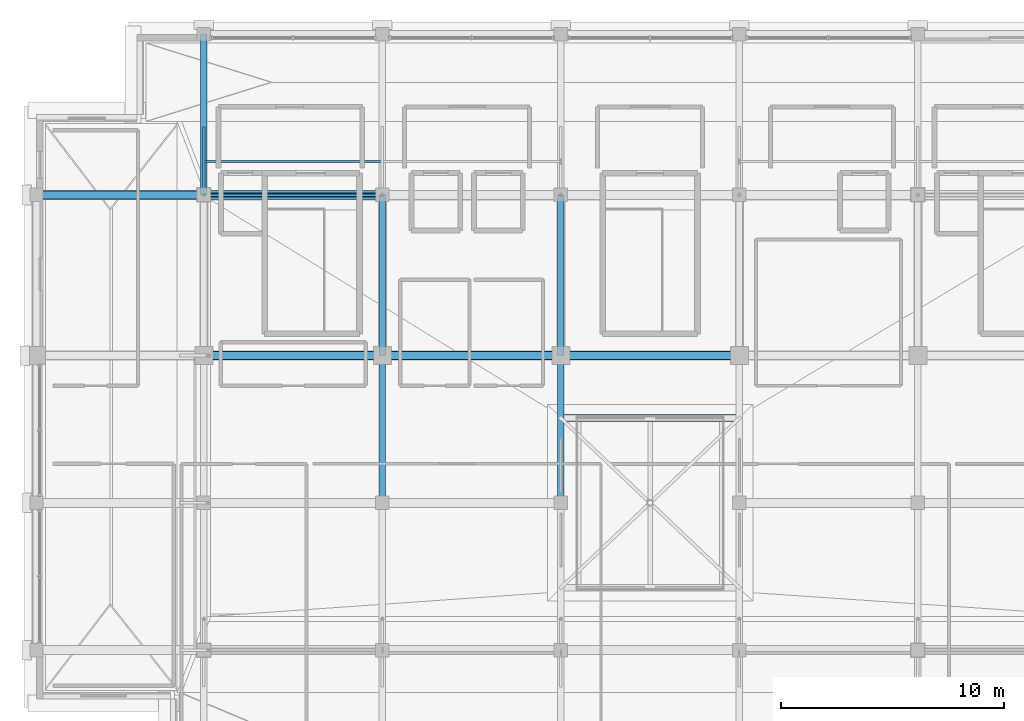
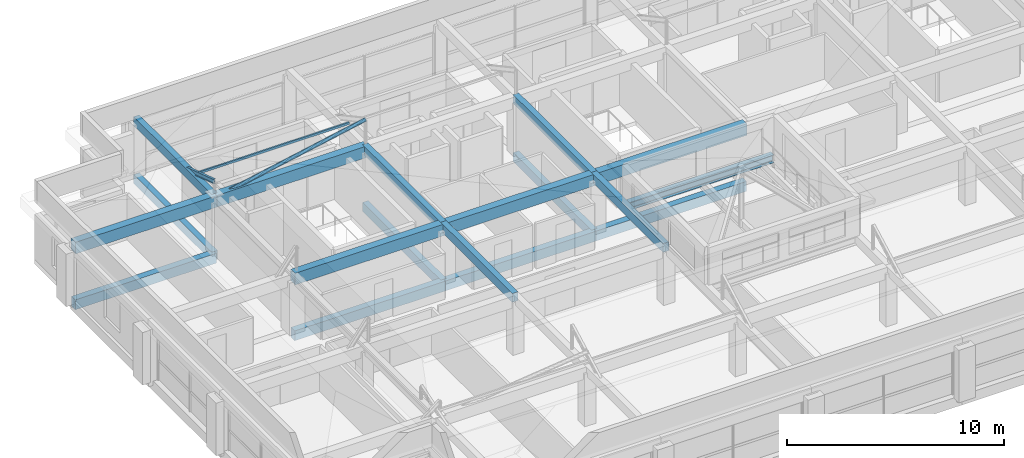
# One storey, part 10 of 39: 18 beams, 3 members.
"""IFC4 building model written with IfcOpenShell, lengths in metres."""

from ifc_helpers import new_model, si_unit, direction, frame, origin, origin_2d, place, context, subcontext, project, spatial, rectangle, hollow_rectangle, hollow_circle, i_section, extrude, material, material_profile, profile_set, type_object, element, save


model = new_model("IFC4")

# Units and contexts
model_context = context("Model", 3, precision=1e-05, world=origin(), true_north=direction((0.0, 1.0)))
body_context = subcontext(model_context, "Body", "Model", "MODEL_VIEW")
ifc_project = project(units=[si_unit("LENGTHUNIT", "METRE"), si_unit("AREAUNIT", "SQUARE_METRE"), si_unit("VOLUMEUNIT", "CUBIC_METRE"), si_unit("PLANEANGLEUNIT", "RADIAN"), si_unit("MASSUNIT", "GRAM", prefix="KILO")], contexts=[model_context])

# Site, building, storey
site_placement = place(None, origin())
site = spatial("IfcSite", under=ifc_project, at=site_placement, CompositionType="ELEMENT")
building_placement = place(site_placement, origin())
building = spatial("IfcBuilding", under=site, at=building_placement, Name="Akrevak Sports Hall", CompositionType="ELEMENT")
storey_placement = place(building_placement, frame((0.0, 0.0, 66.550048828125)))
storey = spatial("IfcBuildingStorey", under=building, at=storey_placement, Name="L17", CompositionType="ELEMENT", Elevation=66.550048828125)

# Beams
ifc_material_1 = material(Name="Concrete C40/50", Category="concrete")
ifc_material_profile_1 = material_profile(ifc_material_1, rectangle(XDim=0.300048828125, YDim=0.5, at=origin_2d()), Name="BM 300x500", Category="concrete")
ifc_profile_set_1 = profile_set([ifc_material_profile_1], Name="Concrete C40/50")
beam_type_1 = type_object("IfcBeamType", Name="STR-BM-RC300x500", PredefinedType="BEAM", material=ifc_profile_set_1)
beam_1_placement = place(storey_placement, frame((60.0, 62.39990234375, -0.25), z_axis=(0.0, 1.0, 0.0), x_axis=(-1.0, 0.0, 0.0)))
element("IfcBeam", 1, at=beam_1_placement, inside=storey, type_object=beam_type_1, Name="Girder 9/J-K (L17)", PredefinedType="BEAM", context=body_context, shape_type="SweptSolid", body=[
    extrude(rectangle(XDim=0.300048828125, YDim=0.5, at=origin_2d()), origin(), (0.0, 0.0, 1.0), 7.2001953125),
])
for number, where, z_axis, x_axis, name in (
    (2, (68.0, 55.199951171875, -0.25), (0.0, 1.0, 0.0), (-1.0, 0.0, 0.0), "Girder 10/I-J (L17)"),
    (3, (76.0, 55.199951171875, -0.25), (0.0, 1.0, 0.0), (-1.0, 0.0, 0.0), "Girder 11/I-J (L17)"),
):
    element("IfcBeam", number, at=place(storey_placement, frame(where, z_axis=z_axis, x_axis=x_axis)), inside=storey, type_object=beam_type_1, Name=name, PredefinedType="BEAM", context=body_context, shape_type="SweptSolid", body=[
        extrude(rectangle(XDim=0.300048828125, YDim=0.5, at=origin_2d()), origin(), (0.0, 0.0, 1.0), 7.199951171875),
    ])
beam_2_placement = place(storey_placement, frame((60.0, 62.39990234375, 3.0), z_axis=(0.0, 1.0, 0.0), x_axis=(-1.0, 0.0, 0.0)))
element("IfcBeam", 4, at=beam_2_placement, inside=storey, type_object=beam_type_1, Name="Girder 9/J-K (ROOF)", PredefinedType="BEAM", context=body_context, shape_type="SweptSolid", body=[
    extrude(rectangle(XDim=0.300048828125, YDim=0.5, at=origin_2d()), origin(), (0.0, 0.0, 1.0), 7.2001953125),
])
beam_3_placement = place(storey_placement, frame((68.0, 48.60009765625, 3.0), z_axis=(0.0, 1.0, 0.0), x_axis=(-1.0, 0.0, 0.0)))
element("IfcBeam", 5, at=beam_3_placement, inside=storey, type_object=beam_type_1, Name="Girder 10/H-I (ROOF)", PredefinedType="BEAM", context=body_context, shape_type="SweptSolid", body=[
    extrude(rectangle(XDim=0.300048828125, YDim=0.5, at=origin_2d()), origin(), (0.0, 0.0, 1.0), 6.599853515625),
])
beam_4_placement = place(storey_placement, frame((68.0, 55.199951171875, 3.0), z_axis=(0.0, 1.0, 0.0), x_axis=(-1.0, 0.0, 0.0)))
element("IfcBeam", 6, at=beam_4_placement, inside=storey, type_object=beam_type_1, Name="Girder 10/I-J (ROOF)", PredefinedType="BEAM", context=body_context, shape_type="SweptSolid", body=[
    extrude(rectangle(XDim=0.300048828125, YDim=0.5, at=origin_2d()), origin(), (0.0, 0.0, 1.0), 7.199951171875),
])
beam_5_placement = place(storey_placement, frame((76.0, 48.60009765625, 3.0), z_axis=(0.0, 1.0, 0.0), x_axis=(-1.0, 0.0, 0.0)))
element("IfcBeam", 7, at=beam_5_placement, inside=storey, type_object=beam_type_1, Name="Girder 11/H-I (ROOF)", PredefinedType="BEAM", context=body_context, shape_type="SweptSolid", body=[
    extrude(rectangle(XDim=0.300048828125, YDim=0.5, at=origin_2d()), origin(), (0.0, 0.0, 1.0), 6.599853515625),
])
beam_6_placement = place(storey_placement, frame((76.0, 55.199951171875, 3.0), z_axis=(0.0, 1.0, 0.0), x_axis=(-1.0, 0.0, 0.0)))
element("IfcBeam", 8, at=beam_6_placement, inside=storey, type_object=beam_type_1, Name="Girder 11/I-J (ROOF)", PredefinedType="BEAM", context=body_context, shape_type="SweptSolid", body=[
    extrude(rectangle(XDim=0.300048828125, YDim=0.5, at=origin_2d()), origin(), (0.0, 0.0, 1.0), 7.199951171875),
])
ifc_material_profile_2 = material_profile(ifc_material_1, rectangle(XDim=0.35009765625, YDim=0.550048828125, at=origin_2d()), Name="BM 350x550", Category="concrete")
ifc_profile_set_2 = profile_set([ifc_material_profile_2], Name="Concrete C40/50")
beam_type_2 = type_object("IfcBeamType", Name="STR-BM-RC350x550", PredefinedType="BEAM", material=ifc_profile_set_2)
for number, where, z_axis, x_axis, name in (
    (9, (60.0, 55.199951171875, -0.275146484375), (1.0, 0.0, 0.0), (0.0, 1.0, 0.0), "Girder I/9-10 (L17)"),
    (10, (68.0, 55.199951171875, -0.275146484375), (1.0, 0.0, 0.0), (0.0, 1.0, 0.0), "Girder I/10-11 (L17)"),
    (11, (76.0, 55.199951171875, -0.275146484375), (1.0, 0.0, 0.0), (0.0, 1.0, 0.0), "Girder I/11-12 (L17)"),
):
    element("IfcBeam", number, at=place(storey_placement, frame(where, z_axis=z_axis, x_axis=x_axis)), inside=storey, type_object=beam_type_2, Name=name, PredefinedType="BEAM", context=body_context, shape_type="SweptSolid", body=[
        extrude(rectangle(XDim=0.35009765625, YDim=0.550048828125, at=origin_2d()), origin(), (0.0, 0.0, 1.0), 8.0),
    ])
beam_7_placement = place(storey_placement, frame((52.5, 62.39990234375, -0.275146484375), z_axis=(1.0, 0.0, 0.0), x_axis=(0.0, 1.0, 0.0)))
element("IfcBeam", 12, at=beam_7_placement, inside=storey, type_object=beam_type_2, Name="Girder J/8-9 (L17)", PredefinedType="BEAM", context=body_context, shape_type="SweptSolid", body=[
    extrude(rectangle(XDim=0.35009765625, YDim=0.550048828125, at=origin_2d()), origin(), (0.0, 0.0, 1.0), 7.5),
])
ifc_material_profile_3 = material_profile(ifc_material_1, rectangle(XDim=0.39990234375, YDim=0.64990234375, at=origin_2d()), Name="BM 400x650", Category="concrete")
ifc_profile_set_3 = profile_set([ifc_material_profile_3], Name="Concrete C40/50")
beam_type_3 = type_object("IfcBeamType", Name="STR-BM-RC400x650", PredefinedType="BEAM", material=ifc_profile_set_3)
for number, where, z_axis, x_axis, name in (
    (13, (60.0, 55.199951171875, 2.925048828125), (1.0, 0.0, 0.0), (0.0, 1.0, 0.0), "Girder I/9-10 (ROOF)"),
    (14, (68.0, 55.199951171875, 2.925048828125), (1.0, 0.0, 0.0), (0.0, 1.0, 0.0), "Girder I/10-11 (ROOF)"),
    (15, (76.0, 55.199951171875, 2.925048828125), (1.0, 0.0, 0.0), (0.0, 1.0, 0.0), "Girder I/11-12 (ROOF)"),
):
    element("IfcBeam", number, at=place(storey_placement, frame(where, z_axis=z_axis, x_axis=x_axis)), inside=storey, type_object=beam_type_3, Name=name, PredefinedType="BEAM", context=body_context, shape_type="SweptSolid", body=[
        extrude(rectangle(XDim=0.39990234375, YDim=0.64990234375, at=origin_2d()), origin(), (0.0, 0.0, 1.0), 8.0),
    ])
beam_8_placement = place(storey_placement, frame((52.5, 62.39990234375, 2.925048828125), z_axis=(1.0, 0.0, 0.0), x_axis=(0.0, 1.0, 0.0)))
element("IfcBeam", 16, at=beam_8_placement, inside=storey, type_object=beam_type_3, Name="Girder J/8-9 (ROOF)", PredefinedType="BEAM", context=body_context, shape_type="SweptSolid", body=[
    extrude(rectangle(XDim=0.39990234375, YDim=0.64990234375, at=origin_2d()), origin(), (0.0, 0.0, 1.0), 7.5),
])
beam_9_placement = place(storey_placement, frame((60.0, 62.39990234375, 2.925048828125), z_axis=(1.0, 0.0, 0.0), x_axis=(0.0, 1.0, 0.0)))
element("IfcBeam", 17, at=beam_9_placement, inside=storey, type_object=beam_type_3, Name="Girder J/9-10 (ROOF)", PredefinedType="BEAM", context=body_context, shape_type="SweptSolid", body=[
    extrude(rectangle(XDim=0.39990234375, YDim=0.64990234375, at=origin_2d()), origin(), (0.0, 0.0, 1.0), 8.0),
])
ifc_material_2 = material(Name="Steel S355", Category="steel")
ifc_material_profile_4 = material_profile(ifc_material_2, i_section(OverallWidth=0.300048828125, OverallDepth=0.449951171875, WebThickness=0.013916015625, FlangeThickness=0.02587890625, FilletRadius=0.027099609375, at=origin_2d()), Name="HEB 450", Category="steel")
ifc_profile_set_4 = profile_set([ifc_material_profile_4], Name="Steel S355")
beam_type_4 = type_object("IfcBeamType", Name="STR-BM-STL-HEB450", PredefinedType="BEAM", material=ifc_profile_set_4)
beam_10_placement = place(storey_placement, frame((76.14892578125, 52.39990234375, 3.0), z_axis=(1.0, 0.0, 0.0), x_axis=(0.0, 1.0, 0.0)))
element("IfcBeam", 18, at=beam_10_placement, inside=storey, type_object=beam_type_4, Name="Cupola Lantern North Steel Ring Beam", PredefinedType="BEAM", context=body_context, shape_type="SweptSolid", body=[
    extrude(i_section(OverallWidth=0.300048828125, OverallDepth=0.449951171875, WebThickness=0.013916015625, FlangeThickness=0.02587890625, FilletRadius=0.027099609375, at=origin_2d()), origin(), (0.0, 0.0, 1.0), 7.7021484375),
])

# Members
ifc_material_profile_5 = material_profile(ifc_material_2, hollow_circle(Radius=0.096923828125, WallThickness=0.010009765625, at=origin_2d()), Name="CHS 193.7x10", Category="steel")
ifc_profile_set_5 = profile_set([ifc_material_profile_5], Name="Steel S355")
member_type_1 = type_object("IfcMemberType", Name="STR-MEM-BRACE-CHS193", PredefinedType="BRACE", material=ifc_profile_set_5)
member_1_placement = place(storey_placement, frame((60.0, 62.39990234375, 3.0), z_axis=(0.98058412843, 0.0, 0.196098870654), x_axis=(0.0, 1.0, 0.0)))
element("IfcMember", 19, at=member_1_placement, inside=storey, type_object=member_type_1, Name="Mansard Roof Lateral Brace MBRC-WN-1", PredefinedType="BRACE", context=body_context, shape_type="SweptSolid", body=[
    extrude(hollow_circle(Radius=0.096923828125, WallThickness=0.010009765625, at=origin_2d()), origin(), (0.0, 0.0, 1.0), 8.158447265625),
])
ifc_material_profile_6 = material_profile(ifc_material_2, hollow_rectangle(XDim=0.080078125, YDim=0.1201171875, WallThickness=0.00634765625, at=origin_2d()), Name="RHS 120x80x6.3", Category="steel")
ifc_profile_set_6 = profile_set([ifc_material_profile_6], Name="Steel S355")
member_type_2 = type_object("IfcMemberType", Name="STR-MEM-PUR-RHS120", PredefinedType="PURLIN", material=ifc_profile_set_6)
member_2_placement = place(storey_placement, frame((60.0, 63.89990234375, 3.5), z_axis=(1.0, 0.0, 0.0), x_axis=(0.0, 1.0, 0.0)))
element("IfcMember", 20, at=member_2_placement, inside=storey, type_object=member_type_2, Name="Mansard Steel Purlin MANS-W-N-A", PredefinedType="PURLIN", context=body_context, shape_type="SweptSolid", body=[
    extrude(hollow_rectangle(XDim=0.080078125, YDim=0.1201171875, WallThickness=0.00634765625, at=origin_2d()), origin(), (0.0, 0.0, 1.0), 8.0),
])
ifc_material_profile_7 = material_profile(ifc_material_2, i_section(OverallWidth=0.1201171875, OverallDepth=0.239990234375, WebThickness=0.006103515625, FlangeThickness=0.009765625, FilletRadius=0.014892578125, at=origin_2d()), Name="IPE 240", Category="steel")
ifc_profile_set_7 = profile_set([ifc_material_profile_7], Name="Steel S355")
member_type_3 = type_object("IfcMemberType", Name="STR-MEM-RAF-IPE240", PredefinedType="RAFTER", material=ifc_profile_set_7)
member_3_placement = place(storey_placement, frame((60.0, 65.39990234375, 2.949951171875), z_axis=(0.0, -0.950569114948, 0.310513055615), x_axis=(1.0, 0.0, 0.0)))
element("IfcMember", 21, at=member_3_placement, inside=storey, type_object=member_type_3, Name="Mansard Steel Rafter MANS-W-N-60", PredefinedType="RAFTER", context=body_context, shape_type="SweptSolid", body=[
    extrude(i_section(OverallWidth=0.1201171875, OverallDepth=0.239990234375, WebThickness=0.006103515625, FlangeThickness=0.009765625, FilletRadius=0.014892578125, at=origin_2d()), origin(), (0.0, 0.0, 1.0), 3.156005859375),
])

save(model, "model.ifc")
